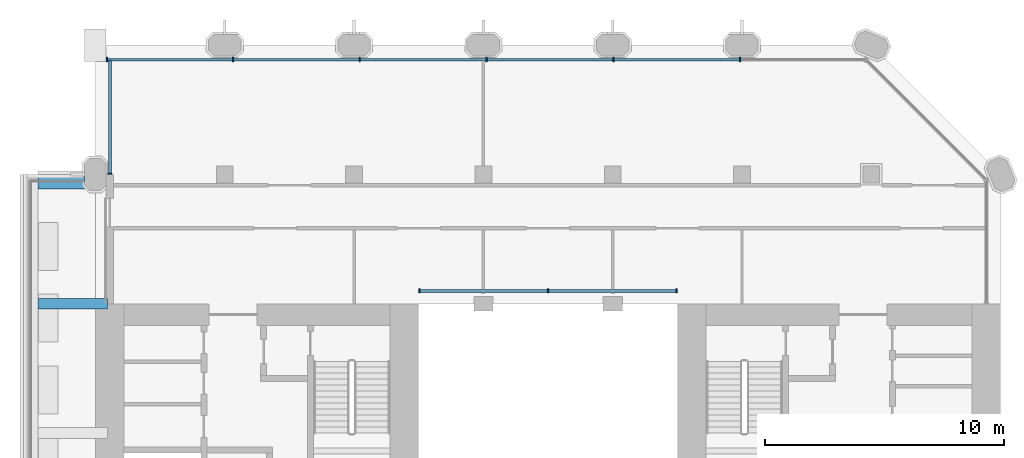
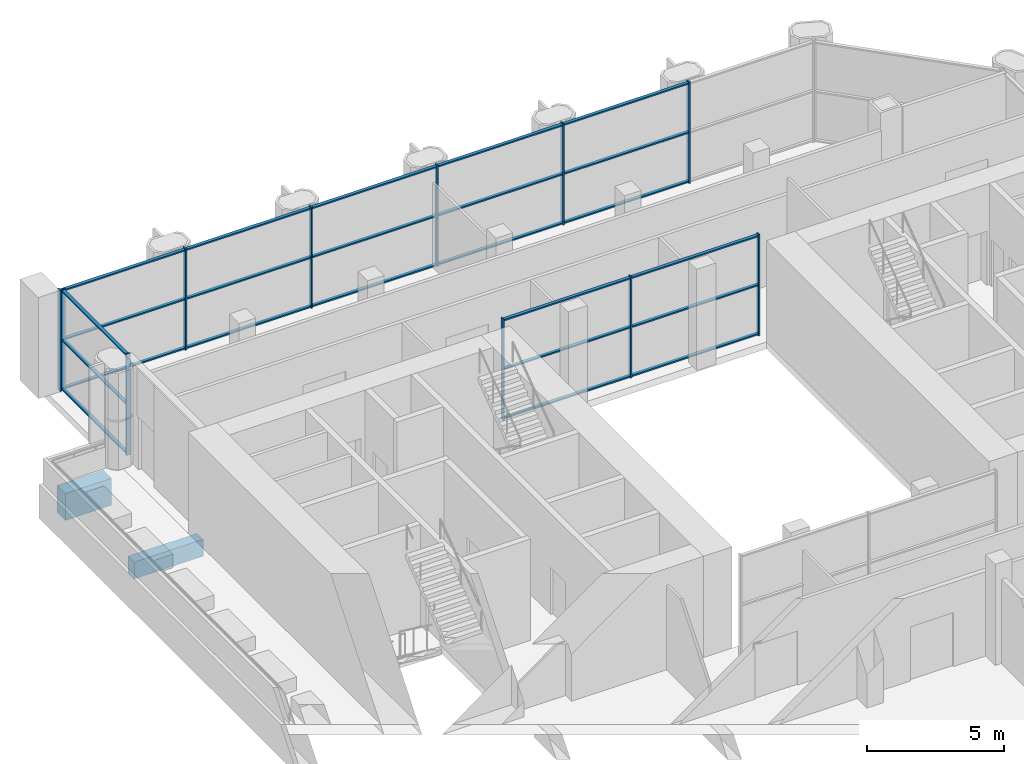
# One storey, part 6 of 14: 35 members, 2 beams, 3 elements without a shape of their own.
"""IFC4 building model written with IfcOpenShell, lengths in metres."""

from ifc_helpers import new_model, si_unit, direction, frame, origin, origin_2d, place, context, subcontext, project, spatial, rectangle, extrude, material, material_profile, profile_set, type_object, element, aggregate, save


model = new_model("IFC4")

# Units and contexts
model_context = context("Model", 3, precision=1e-05, world=origin(), true_north=direction((0.0, 1.0)))
body_context = subcontext(model_context, "Body", "Model", "MODEL_VIEW")
ifc_project = project(units=[si_unit("LENGTHUNIT", "METRE"), si_unit("AREAUNIT", "SQUARE_METRE"), si_unit("VOLUMEUNIT", "CUBIC_METRE"), si_unit("PLANEANGLEUNIT", "RADIAN"), si_unit("MASSUNIT", "GRAM", prefix="KILO")], contexts=[model_context])

# Site, building, storey
site_placement = place(None, origin())
site = spatial("IfcSite", under=ifc_project, at=site_placement, CompositionType="ELEMENT")
building_placement = place(site_placement, origin())
building = spatial("IfcBuilding", under=site, at=building_placement, Name="Tabaq Tower and Sports Hall", CompositionType="ELEMENT")
storey_placement = place(building_placement, frame((0.0, 0.0, 250.89990234375)))
storey = spatial("IfcBuildingStorey", under=building, at=storey_placement, Name="L61", CompositionType="ELEMENT", Elevation=250.89990234375)

# Curtain wall, members
ifc_material_1 = material(Name="Aluminium alloy 6063-T6 framed glazing", Category="aluminium")
curtain_wall_type_1 = type_object("IfcCurtainWallType", Name="CW1 curtain wall", PredefinedType="USERDEFINED", material=ifc_material_1)
curtain_wall_1_placement = place(storey_placement, origin())
curtain_wall_1 = element("IfcCurtainWall", 1, at=curtain_wall_1_placement, inside=storey, type_object=curtain_wall_type_1, Name="Atrium glazing L61 N", ObjectType="ATRIUM ENCLOSURE", PredefinedType="USERDEFINED")
ifc_material_2 = material(Name="Aluminium alloy 6063-T6", Category="aluminium")
ifc_material_profile_1 = material_profile(ifc_material_2, rectangle(XDim=0.159912109375, YDim=0.06005859375, at=origin_2d()), Name="MULLION 160x60")
ifc_profile_set_1 = profile_set([ifc_material_profile_1], Name="Aluminium alloy 6063-T6")
member_type_1 = type_object("IfcMemberType", Name="CW1 mullion 160x60", PredefinedType="MULLION", material=ifc_profile_set_1)
member_1_placement = place(storey_placement, frame((18.929931640625, 32.949951171875, 0.0), z_axis=(0.0, 0.0, 1.0), x_axis=(0.0, 1.0, 0.0)))
member_1 = element("IfcMember", 2, at=member_1_placement, type_object=member_type_1, Name="CW1 mullion 1", PredefinedType="MULLION", context=body_context, shape_type="SweptSolid", body=[
    extrude(rectangle(XDim=0.159912109375, YDim=0.06005859375, at=origin_2d()), origin(), (0.0, 0.0, 1.0), 4.5),
])
member_2_placement = place(storey_placement, frame((24.300048828125, 32.949951171875, 0.0), z_axis=(0.0, 0.0, 1.0), x_axis=(0.0, 1.0, 0.0)))
member_2 = element("IfcMember", 3, at=member_2_placement, type_object=member_type_1, Name="CW1 mullion 2", PredefinedType="MULLION", context=body_context, shape_type="SweptSolid", body=[
    extrude(rectangle(XDim=0.159912109375, YDim=0.06005859375, at=origin_2d()), origin(), (0.0, 0.0, 1.0), 4.5),
])
member_3_placement = place(storey_placement, frame((29.669921875, 32.949951171875, 0.0), z_axis=(0.0, 0.0, 1.0), x_axis=(0.0, 1.0, 0.0)))
member_3 = element("IfcMember", 4, at=member_3_placement, type_object=member_type_1, Name="CW1 mullion 3", PredefinedType="MULLION", context=body_context, shape_type="SweptSolid", body=[
    extrude(rectangle(XDim=0.159912109375, YDim=0.06005859375, at=origin_2d()), origin(), (0.0, 0.0, 1.0), 4.5),
])
ifc_material_3 = material(Name="Aluminium alloy 6063-T6", Category="aluminium")
ifc_material_profile_2 = material_profile(ifc_material_3, rectangle(XDim=0.139892578125, YDim=0.06005859375, at=origin_2d()), Name="TRANSOM 140x60")
ifc_profile_set_2 = profile_set([ifc_material_profile_2], Name="Aluminium alloy 6063-T6")
member_type_2 = type_object("IfcMemberType", Name="CW1 transom 140x60", PredefinedType="USERDEFINED", material=ifc_profile_set_2)
member_4_placement = place(storey_placement, frame((18.9599609375, 32.949951171875, 0.070068359375), z_axis=(1.0, 0.0, 0.0), x_axis=(0.0, 1.0, 0.0)))
member_4 = element("IfcMember", 5, at=member_4_placement, type_object=member_type_2, Name="CW1 transom 1.1", ObjectType="TRANSOM", PredefinedType="USERDEFINED", context=body_context, shape_type="SweptSolid", body=[
    extrude(rectangle(XDim=0.139892578125, YDim=0.06005859375, at=origin_2d()), origin(), (0.0, 0.0, 1.0), 5.31005859375),
])
member_5_placement = place(storey_placement, frame((18.9599609375, 32.949951171875, 2.25), z_axis=(1.0, 0.0, 0.0), x_axis=(0.0, 1.0, 0.0)))
member_5 = element("IfcMember", 6, at=member_5_placement, type_object=member_type_2, Name="CW1 transom 1.2", ObjectType="TRANSOM", PredefinedType="USERDEFINED", context=body_context, shape_type="SweptSolid", body=[
    extrude(rectangle(XDim=0.139892578125, YDim=0.06005859375, at=origin_2d()), origin(), (0.0, 0.0, 1.0), 5.31005859375),
])
member_6_placement = place(storey_placement, frame((18.9599609375, 32.949951171875, 4.43017578125), z_axis=(1.0, 0.0, 0.0), x_axis=(0.0, 1.0, 0.0)))
member_6 = element("IfcMember", 7, at=member_6_placement, type_object=member_type_2, Name="CW1 transom 1.3", ObjectType="TRANSOM", PredefinedType="USERDEFINED", context=body_context, shape_type="SweptSolid", body=[
    extrude(rectangle(XDim=0.139892578125, YDim=0.06005859375, at=origin_2d()), origin(), (0.0, 0.0, 1.0), 5.31005859375),
])
member_7_placement = place(storey_placement, frame((24.330078125, 32.949951171875, 0.070068359375), z_axis=(1.0, 0.0, 0.0), x_axis=(0.0, 1.0, 0.0)))
member_7 = element("IfcMember", 8, at=member_7_placement, type_object=member_type_2, Name="CW1 transom 2.1", ObjectType="TRANSOM", PredefinedType="USERDEFINED", context=body_context, shape_type="SweptSolid", body=[
    extrude(rectangle(XDim=0.139892578125, YDim=0.06005859375, at=origin_2d()), origin(), (0.0, 0.0, 1.0), 5.309814453125),
])
member_8_placement = place(storey_placement, frame((24.330078125, 32.949951171875, 2.25), z_axis=(1.0, 0.0, 0.0), x_axis=(0.0, 1.0, 0.0)))
member_8 = element("IfcMember", 9, at=member_8_placement, type_object=member_type_2, Name="CW1 transom 2.2", ObjectType="TRANSOM", PredefinedType="USERDEFINED", context=body_context, shape_type="SweptSolid", body=[
    extrude(rectangle(XDim=0.139892578125, YDim=0.06005859375, at=origin_2d()), origin(), (0.0, 0.0, 1.0), 5.309814453125),
])
member_9_placement = place(storey_placement, frame((24.330078125, 32.949951171875, 4.43017578125), z_axis=(1.0, 0.0, 0.0), x_axis=(0.0, 1.0, 0.0)))
member_9 = element("IfcMember", 10, at=member_9_placement, type_object=member_type_2, Name="CW1 transom 2.3", ObjectType="TRANSOM", PredefinedType="USERDEFINED", context=body_context, shape_type="SweptSolid", body=[
    extrude(rectangle(XDim=0.139892578125, YDim=0.06005859375, at=origin_2d()), origin(), (0.0, 0.0, 1.0), 5.309814453125),
])
aggregate(curtain_wall_1, [member_1, member_2, member_3, member_4, member_5, member_6, member_7, member_8, member_9])

ifc_material_4 = material(Name="Aluminium alloy 6063-T6 framed glazing", Category="aluminium")
curtain_wall_type_2 = type_object("IfcCurtainWallType", Name="CW3 curtain wall", PredefinedType="USERDEFINED", material=ifc_material_4)
curtain_wall_2_placement = place(storey_placement, origin())
curtain_wall_2 = element("IfcCurtainWall", 11, at=curtain_wall_2_placement, inside=storey, type_object=curtain_wall_type_2, Name="Garden Floor Wall L61 N", ObjectType="GARDEN FLOOR WALL", PredefinedType="USERDEFINED")
ifc_material_5 = material(Name="Aluminium alloy 6063-T6", Category="aluminium")
ifc_material_profile_3 = material_profile(ifc_material_5, rectangle(XDim=0.179931640625, YDim=0.06005859375, at=origin_2d()), Name="MULLION 180x60")
ifc_profile_set_3 = profile_set([ifc_material_profile_3], Name="Aluminium alloy 6063-T6")
member_type_3 = type_object("IfcMemberType", Name="CW3 mullion 180x60", PredefinedType="MULLION", material=ifc_profile_set_3)
member_10_placement = place(storey_placement, frame((32.319580078125, 42.60009765625, 0.0), z_axis=(0.0, 0.0, 1.0), x_axis=(0.0, -1.0, 0.0)))
member_10 = element("IfcMember", 12, at=member_10_placement, type_object=member_type_3, Name="CW3 mullion 2", PredefinedType="MULLION", context=body_context, shape_type="SweptSolid", body=[
    extrude(rectangle(XDim=0.179931640625, YDim=0.06005859375, at=origin_2d()), origin(), (0.0, 0.0, 1.0), 4.5),
])
member_11_placement = place(storey_placement, frame((27.025634765625, 42.60009765625, 0.0), z_axis=(0.0, 0.0, 1.0), x_axis=(0.0, -1.0, 0.0)))
member_11 = element("IfcMember", 13, at=member_11_placement, type_object=member_type_3, Name="CW3 mullion 3", PredefinedType="MULLION", context=body_context, shape_type="SweptSolid", body=[
    extrude(rectangle(XDim=0.179931640625, YDim=0.06005859375, at=origin_2d()), origin(), (0.0, 0.0, 1.0), 4.5),
])
member_12_placement = place(storey_placement, frame((21.731689453125, 42.60009765625, 0.0), z_axis=(0.0, 0.0, 1.0), x_axis=(0.0, -1.0, 0.0)))
member_12 = element("IfcMember", 14, at=member_12_placement, type_object=member_type_3, Name="CW3 mullion 4", PredefinedType="MULLION", context=body_context, shape_type="SweptSolid", body=[
    extrude(rectangle(XDim=0.179931640625, YDim=0.06005859375, at=origin_2d()), origin(), (0.0, 0.0, 1.0), 4.5),
])
member_13_placement = place(storey_placement, frame((16.43798828125, 42.60009765625, 0.0), z_axis=(0.0, 0.0, 1.0), x_axis=(0.0, -1.0, 0.0)))
member_13 = element("IfcMember", 15, at=member_13_placement, type_object=member_type_3, Name="CW3 mullion 5", PredefinedType="MULLION", context=body_context, shape_type="SweptSolid", body=[
    extrude(rectangle(XDim=0.179931640625, YDim=0.06005859375, at=origin_2d()), origin(), (0.0, 0.0, 1.0), 4.5),
])
member_14_placement = place(storey_placement, frame((11.14404296875, 42.60009765625, 0.0), z_axis=(0.0, 0.0, 1.0), x_axis=(0.0, -1.0, 0.0)))
member_14 = element("IfcMember", 16, at=member_14_placement, type_object=member_type_3, Name="CW3 mullion 6", PredefinedType="MULLION", context=body_context, shape_type="SweptSolid", body=[
    extrude(rectangle(XDim=0.179931640625, YDim=0.06005859375, at=origin_2d()), origin(), (0.0, 0.0, 1.0), 4.5),
])
member_15_placement = place(storey_placement, frame((5.8798828125, 42.60009765625, 0.0), z_axis=(0.0, 0.0, 1.0), x_axis=(0.0, -1.0, 0.0)))
member_15 = element("IfcMember", 17, at=member_15_placement, type_object=member_type_3, Name="CW3 mullion 7", PredefinedType="MULLION", context=body_context, shape_type="SweptSolid", body=[
    extrude(rectangle(XDim=0.179931640625, YDim=0.06005859375, at=origin_2d()), origin(), (0.0, 0.0, 1.0), 4.5),
])

curtain_wall_3_placement = place(storey_placement, origin())
curtain_wall_3 = element("IfcCurtainWall", 18, at=curtain_wall_3_placement, inside=storey, type_object=curtain_wall_type_2, Name="Garden Floor Wall L61 W", ObjectType="GARDEN FLOOR WALL", PredefinedType="USERDEFINED")
member_16_placement = place(storey_placement, frame((6.0, 42.570068359375, 0.0), z_axis=(0.0, 0.0, 1.0), x_axis=(1.0, 0.0, 0.0)))
member_16 = element("IfcMember", 19, at=member_16_placement, type_object=member_type_3, Name="CW3 mullion 1", PredefinedType="MULLION", context=body_context, shape_type="SweptSolid", body=[
    extrude(rectangle(XDim=0.179931640625, YDim=0.06005859375, at=origin_2d()), origin(), (0.0, 0.0, 1.0), 4.5),
])
member_17_placement = place(storey_placement, frame((6.0, 37.830078125, 0.0), z_axis=(0.0, 0.0, 1.0), x_axis=(1.0, 0.0, 0.0)))
member_17 = element("IfcMember", 20, at=member_17_placement, type_object=member_type_3, Name="CW3 mullion 2", PredefinedType="MULLION", context=body_context, shape_type="SweptSolid", body=[
    extrude(rectangle(XDim=0.179931640625, YDim=0.06005859375, at=origin_2d()), origin(), (0.0, 0.0, 1.0), 4.5),
])

# Member
ifc_material_6 = material(Name="Aluminium alloy 6063-T6", Category="aluminium")
ifc_material_profile_4 = material_profile(ifc_material_6, rectangle(XDim=0.139892578125, YDim=0.06005859375, at=origin_2d()), Name="TRANSOM 140x60")
ifc_profile_set_4 = profile_set([ifc_material_profile_4], Name="Aluminium alloy 6063-T6")
member_type_4 = type_object("IfcMemberType", Name="CW3 transom 140x60", PredefinedType="USERDEFINED", material=ifc_profile_set_4)
member_18_placement = place(storey_placement, frame((32.28955078125, 42.60009765625, 0.070068359375), z_axis=(-1.0, 0.0, 0.0), x_axis=(0.0, -1.0, 0.0)))
member_18 = element("IfcMember", 21, at=member_18_placement, type_object=member_type_4, Name="CW3 transom 2.1", ObjectType="TRANSOM", PredefinedType="USERDEFINED", context=body_context, shape_type="SweptSolid", body=[
    extrude(rectangle(XDim=0.139892578125, YDim=0.06005859375, at=origin_2d()), origin(), (0.0, 0.0, 1.0), 5.23388671875),
])

member_19_placement = place(storey_placement, frame((32.28955078125, 42.60009765625, 2.25), z_axis=(-1.0, 0.0, 0.0), x_axis=(0.0, -1.0, 0.0)))
member_19 = element("IfcMember", 22, at=member_19_placement, type_object=member_type_4, Name="CW3 transom 2.2", ObjectType="TRANSOM", PredefinedType="USERDEFINED", context=body_context, shape_type="SweptSolid", body=[
    extrude(rectangle(XDim=0.139892578125, YDim=0.06005859375, at=origin_2d()), origin(), (0.0, 0.0, 1.0), 5.23388671875),
])

member_20_placement = place(storey_placement, frame((32.28955078125, 42.60009765625, 4.43017578125), z_axis=(-1.0, 0.0, 0.0), x_axis=(0.0, -1.0, 0.0)))
member_20 = element("IfcMember", 23, at=member_20_placement, type_object=member_type_4, Name="CW3 transom 2.3", ObjectType="TRANSOM", PredefinedType="USERDEFINED", context=body_context, shape_type="SweptSolid", body=[
    extrude(rectangle(XDim=0.139892578125, YDim=0.06005859375, at=origin_2d()), origin(), (0.0, 0.0, 1.0), 5.23388671875),
])

member_21_placement = place(storey_placement, frame((26.995849609375, 42.60009765625, 0.070068359375), z_axis=(-1.0, 0.0, 0.0), x_axis=(0.0, -1.0, 0.0)))
member_21 = element("IfcMember", 24, at=member_21_placement, type_object=member_type_4, Name="CW3 transom 3.1", ObjectType="TRANSOM", PredefinedType="USERDEFINED", context=body_context, shape_type="SweptSolid", body=[
    extrude(rectangle(XDim=0.139892578125, YDim=0.06005859375, at=origin_2d()), origin(), (0.0, 0.0, 1.0), 5.234130859375),
])

member_22_placement = place(storey_placement, frame((26.995849609375, 42.60009765625, 2.25), z_axis=(-1.0, 0.0, 0.0), x_axis=(0.0, -1.0, 0.0)))
member_22 = element("IfcMember", 25, at=member_22_placement, type_object=member_type_4, Name="CW3 transom 3.2", ObjectType="TRANSOM", PredefinedType="USERDEFINED", context=body_context, shape_type="SweptSolid", body=[
    extrude(rectangle(XDim=0.139892578125, YDim=0.06005859375, at=origin_2d()), origin(), (0.0, 0.0, 1.0), 5.234130859375),
])

member_23_placement = place(storey_placement, frame((26.995849609375, 42.60009765625, 4.43017578125), z_axis=(-1.0, 0.0, 0.0), x_axis=(0.0, -1.0, 0.0)))
member_23 = element("IfcMember", 26, at=member_23_placement, type_object=member_type_4, Name="CW3 transom 3.3", ObjectType="TRANSOM", PredefinedType="USERDEFINED", context=body_context, shape_type="SweptSolid", body=[
    extrude(rectangle(XDim=0.139892578125, YDim=0.06005859375, at=origin_2d()), origin(), (0.0, 0.0, 1.0), 5.234130859375),
])

member_24_placement = place(storey_placement, frame((21.701904296875, 42.60009765625, 0.070068359375), z_axis=(-1.0, 0.0, 0.0), x_axis=(0.0, -1.0, 0.0)))
member_24 = element("IfcMember", 27, at=member_24_placement, type_object=member_type_4, Name="CW3 transom 4.1", ObjectType="TRANSOM", PredefinedType="USERDEFINED", context=body_context, shape_type="SweptSolid", body=[
    extrude(rectangle(XDim=0.139892578125, YDim=0.06005859375, at=origin_2d()), origin(), (0.0, 0.0, 1.0), 5.234130859375),
])

member_25_placement = place(storey_placement, frame((21.701904296875, 42.60009765625, 2.25), z_axis=(-1.0, 0.0, 0.0), x_axis=(0.0, -1.0, 0.0)))
member_25 = element("IfcMember", 28, at=member_25_placement, type_object=member_type_4, Name="CW3 transom 4.2", ObjectType="TRANSOM", PredefinedType="USERDEFINED", context=body_context, shape_type="SweptSolid", body=[
    extrude(rectangle(XDim=0.139892578125, YDim=0.06005859375, at=origin_2d()), origin(), (0.0, 0.0, 1.0), 5.234130859375),
])

member_26_placement = place(storey_placement, frame((21.701904296875, 42.60009765625, 4.43017578125), z_axis=(-1.0, 0.0, 0.0), x_axis=(0.0, -1.0, 0.0)))
member_26 = element("IfcMember", 29, at=member_26_placement, type_object=member_type_4, Name="CW3 transom 4.3", ObjectType="TRANSOM", PredefinedType="USERDEFINED", context=body_context, shape_type="SweptSolid", body=[
    extrude(rectangle(XDim=0.139892578125, YDim=0.06005859375, at=origin_2d()), origin(), (0.0, 0.0, 1.0), 5.234130859375),
])

member_27_placement = place(storey_placement, frame((16.407958984375, 42.60009765625, 0.070068359375), z_axis=(-1.0, 0.0, 0.0), x_axis=(0.0, -1.0, 0.0)))
member_27 = element("IfcMember", 30, at=member_27_placement, type_object=member_type_4, Name="CW3 transom 5.1", ObjectType="TRANSOM", PredefinedType="USERDEFINED", context=body_context, shape_type="SweptSolid", body=[
    extrude(rectangle(XDim=0.139892578125, YDim=0.06005859375, at=origin_2d()), origin(), (0.0, 0.0, 1.0), 5.234130859375),
])

member_28_placement = place(storey_placement, frame((16.407958984375, 42.60009765625, 2.25), z_axis=(-1.0, 0.0, 0.0), x_axis=(0.0, -1.0, 0.0)))
member_28 = element("IfcMember", 31, at=member_28_placement, type_object=member_type_4, Name="CW3 transom 5.2", ObjectType="TRANSOM", PredefinedType="USERDEFINED", context=body_context, shape_type="SweptSolid", body=[
    extrude(rectangle(XDim=0.139892578125, YDim=0.06005859375, at=origin_2d()), origin(), (0.0, 0.0, 1.0), 5.234130859375),
])

member_29_placement = place(storey_placement, frame((16.407958984375, 42.60009765625, 4.43017578125), z_axis=(-1.0, 0.0, 0.0), x_axis=(0.0, -1.0, 0.0)))
member_29 = element("IfcMember", 32, at=member_29_placement, type_object=member_type_4, Name="CW3 transom 5.3", ObjectType="TRANSOM", PredefinedType="USERDEFINED", context=body_context, shape_type="SweptSolid", body=[
    extrude(rectangle(XDim=0.139892578125, YDim=0.06005859375, at=origin_2d()), origin(), (0.0, 0.0, 1.0), 5.234130859375),
])

member_30_placement = place(storey_placement, frame((11.114013671875, 42.60009765625, 0.070068359375), z_axis=(-1.0, 0.0, 0.0), x_axis=(0.0, -1.0, 0.0)))
member_30 = element("IfcMember", 33, at=member_30_placement, type_object=member_type_4, Name="CW3 transom 6.1", ObjectType="TRANSOM", PredefinedType="USERDEFINED", context=body_context, shape_type="SweptSolid", body=[
    extrude(rectangle(XDim=0.139892578125, YDim=0.06005859375, at=origin_2d()), origin(), (0.0, 0.0, 1.0), 5.2041015625),
])

member_31_placement = place(storey_placement, frame((11.114013671875, 42.60009765625, 2.25), z_axis=(-1.0, 0.0, 0.0), x_axis=(0.0, -1.0, 0.0)))
member_31 = element("IfcMember", 34, at=member_31_placement, type_object=member_type_4, Name="CW3 transom 6.2", ObjectType="TRANSOM", PredefinedType="USERDEFINED", context=body_context, shape_type="SweptSolid", body=[
    extrude(rectangle(XDim=0.139892578125, YDim=0.06005859375, at=origin_2d()), origin(), (0.0, 0.0, 1.0), 5.2041015625),
])

member_32_placement = place(storey_placement, frame((11.114013671875, 42.60009765625, 4.43017578125), z_axis=(-1.0, 0.0, 0.0), x_axis=(0.0, -1.0, 0.0)))
member_32 = element("IfcMember", 35, at=member_32_placement, type_object=member_type_4, Name="CW3 transom 6.3", ObjectType="TRANSOM", PredefinedType="USERDEFINED", context=body_context, shape_type="SweptSolid", body=[
    extrude(rectangle(XDim=0.139892578125, YDim=0.06005859375, at=origin_2d()), origin(), (0.0, 0.0, 1.0), 5.2041015625),
])

aggregate(curtain_wall_2, [member_10, member_11, member_12, member_13, member_14, member_15, member_18, member_19, member_20, member_21, member_22, member_23, member_24, member_25, member_26, member_27, member_28, member_29, member_30, member_31, member_32])

member_33_placement = place(storey_placement, frame((6.0, 42.5400390625, 0.070068359375), z_axis=(0.0, -1.0, 0.0), x_axis=(1.0, 0.0, 0.0)))
member_33 = element("IfcMember", 36, at=member_33_placement, type_object=member_type_4, Name="CW3 transom 1.1", ObjectType="TRANSOM", PredefinedType="USERDEFINED", context=body_context, shape_type="SweptSolid", body=[
    extrude(rectangle(XDim=0.139892578125, YDim=0.06005859375, at=origin_2d()), origin(), (0.0, 0.0, 1.0), 4.679931640625),
])

member_34_placement = place(storey_placement, frame((6.0, 42.5400390625, 2.25), z_axis=(0.0, -1.0, 0.0), x_axis=(1.0, 0.0, 0.0)))
member_34 = element("IfcMember", 37, at=member_34_placement, type_object=member_type_4, Name="CW3 transom 1.2", ObjectType="TRANSOM", PredefinedType="USERDEFINED", context=body_context, shape_type="SweptSolid", body=[
    extrude(rectangle(XDim=0.139892578125, YDim=0.06005859375, at=origin_2d()), origin(), (0.0, 0.0, 1.0), 4.679931640625),
])

member_35_placement = place(storey_placement, frame((6.0, 42.5400390625, 4.43017578125), z_axis=(0.0, -1.0, 0.0), x_axis=(1.0, 0.0, 0.0)))
member_35 = element("IfcMember", 38, at=member_35_placement, type_object=member_type_4, Name="CW3 transom 1.3", ObjectType="TRANSOM", PredefinedType="USERDEFINED", context=body_context, shape_type="SweptSolid", body=[
    extrude(rectangle(XDim=0.139892578125, YDim=0.06005859375, at=origin_2d()), origin(), (0.0, 0.0, 1.0), 4.679931640625),
])

aggregate(curtain_wall_3, [member_16, member_17, member_33, member_34, member_35])

# Beams
ifc_material_7 = material(Name="Concrete C40/50", Category="concrete")
ifc_material_profile_5 = material_profile(ifc_material_7, rectangle(XDim=0.60009765625, YDim=1.199951171875, at=origin_2d()), Name="EBT 600x1200")
ifc_profile_set_5 = profile_set([ifc_material_profile_5], Name="Concrete C40/50")
beam_type_1 = type_object("IfcBeamType", Name="Concrete C40/50 PT edge band EBT 600x1200", PredefinedType="BEAM", material=ifc_profile_set_5)
beam_1_placement = place(storey_placement, frame((4.949951171875, 37.5, -0.89990234375), z_axis=(-1.0, 0.0, 0.0), x_axis=(0.0, -1.0, 0.0)))
element("IfcBeam", 39, at=beam_1_placement, inside=storey, type_object=beam_type_1, Name="Tray edge band L61", PredefinedType="BEAM", context=body_context, shape_type="SweptSolid", body=[
    extrude(rectangle(XDim=0.60009765625, YDim=1.199951171875, at=origin_2d()), origin(), (0.0, 0.0, 1.0), 1.949951171875),
])
ifc_material_8 = material(Name="Concrete C40/50", Category="concrete")
ifc_material_profile_6 = material_profile(ifc_material_8, rectangle(XDim=0.449951171875, YDim=0.75, at=origin_2d()), Name="CB 450x750")
ifc_profile_set_6 = profile_set([ifc_material_profile_6], Name="Concrete C40/50")
beam_type_2 = type_object("IfcBeamType", Name="PT CANTILEVER BEAM CB 450x750 C40/50", PredefinedType="BEAM", material=ifc_profile_set_6)
beam_2_placement = place(storey_placement, frame((3.0, 32.39990234375, -0.6748046875), z_axis=(1.0, 0.0, 0.0), x_axis=(0.0, 1.0, 0.0)))
element("IfcBeam", 40, at=beam_2_placement, inside=storey, type_object=beam_type_2, Name="Tray Cantilever Beam L61 T1 span 1", PredefinedType="BEAM", context=body_context, shape_type="SweptSolid", body=[
    extrude(rectangle(XDim=0.449951171875, YDim=0.75, at=origin_2d()), origin(), (0.0, 0.0, 1.0), 2.89990234375),
])

save(model, "model.ifc")
